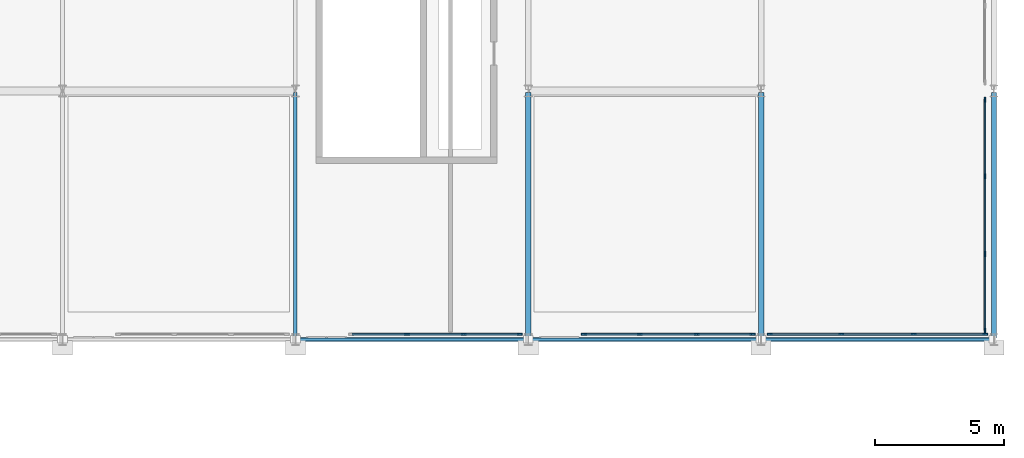
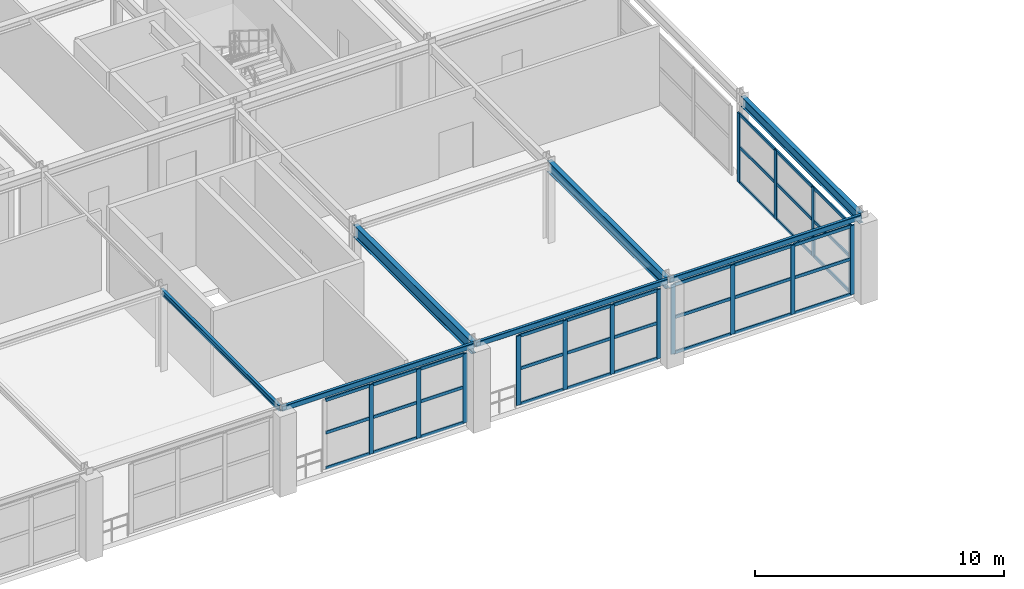
# One storey, part 31 of 81: 51 members, 7 beams, 4 elements without a shape of their own.
"""IFC4 building model written with IfcOpenShell, lengths in metres."""

from ifc_helpers import new_model, si_unit, direction, frame, origin, origin_2d, place, context, subcontext, project, spatial, rectangle, hollow_rectangle, i_section, extrude, material, layer, layer_set, material_profile, profile_set, type_object, element, aggregate, save


model = new_model("IFC4")

# Units and contexts
model_context = context("Model", 3, precision=1e-05, world=origin(), true_north=direction((0.0, 1.0)))
body_context = subcontext(model_context, "Body", "Model", "MODEL_VIEW")
ifc_project = project(units=[si_unit("LENGTHUNIT", "METRE"), si_unit("AREAUNIT", "SQUARE_METRE"), si_unit("VOLUMEUNIT", "CUBIC_METRE"), si_unit("PLANEANGLEUNIT", "RADIAN"), si_unit("MASSUNIT", "GRAM", prefix="KILO")], contexts=[model_context])

# Site, building, storey
site_placement = place(None, origin())
site = spatial("IfcSite", under=ifc_project, at=site_placement, CompositionType="ELEMENT")
building_placement = place(site_placement, origin())
building = spatial("IfcBuilding", under=site, at=building_placement, Name="Myrtia Square Station", CompositionType="ELEMENT")
storey_placement = place(building_placement, frame((0.0, 0.0, 10.800048828125)))
storey = spatial("IfcBuildingStorey", under=building, at=storey_placement, Name="L02", CompositionType="ELEMENT", Elevation=10.800048828125)

# Beams
ifc_material_1 = material(Name="Steel S355", Category="steel")
ifc_material_profile_1 = material_profile(ifc_material_1, i_section(OverallWidth=0.135009765625, OverallDepth=0.27001953125, WebThickness=0.006591796875, FlangeThickness=0.01025390625, FilletRadius=0.014892578125, at=origin_2d()), Name="IPE 270")
ifc_profile_set_1 = profile_set([ifc_material_profile_1], Name="Steel S355")
beam_type_1 = type_object("IfcBeamType", Name="BM-IPE270", PredefinedType="BEAM", material=ifc_profile_set_1)
beam_1_placement = place(storey_placement, frame((162.0, 86.449951171875, 3.824951171875), z_axis=(0.0, 1.0, 0.0), x_axis=(-1.0, 0.0, 0.0)))
element("IfcBeam", 1, at=beam_1_placement, inside=storey, type_object=beam_type_1, Name="Structural girder BMY-L02-0791", PredefinedType="BEAM", context=body_context, shape_type="SweptSolid", body=[
    extrude(i_section(OverallWidth=0.135009765625, OverallDepth=0.27001953125, WebThickness=0.006591796875, FlangeThickness=0.01025390625, FilletRadius=0.014892578125, at=origin_2d()), origin(), (0.0, 0.0, 1.0), 9.5),
])
ifc_material_profile_2 = material_profile(ifc_material_1, i_section(OverallWidth=0.199951171875, OverallDepth=0.5, WebThickness=0.01025390625, FlangeThickness=0.01611328125, FilletRadius=0.02099609375, at=origin_2d()), Name="IPE 500")
ifc_profile_set_2 = profile_set([ifc_material_profile_2], Name="Steel S355")
beam_type_2 = type_object("IfcBeamType", Name="BM-IPE500", PredefinedType="BEAM", material=ifc_profile_set_2)
beam_2_placement = place(storey_placement, frame((189.0, 86.449951171875, 3.7099609375), z_axis=(0.0, 1.0, 0.0), x_axis=(-1.0, 0.0, 0.0)))
element("IfcBeam", 2, at=beam_2_placement, inside=storey, type_object=beam_type_2, Name="Structural girder BMY-L02-0803", PredefinedType="BEAM", context=body_context, shape_type="SweptSolid", body=[
    extrude(i_section(OverallWidth=0.199951171875, OverallDepth=0.5, WebThickness=0.01025390625, FlangeThickness=0.01611328125, FilletRadius=0.02099609375, at=origin_2d()), origin(), (0.0, 0.0, 1.0), 9.5),
])
ifc_material_profile_3 = material_profile(ifc_material_1, i_section(OverallWidth=0.2099609375, OverallDepth=0.550048828125, WebThickness=0.010986328125, FlangeThickness=0.01708984375, FilletRadius=0.02392578125, at=origin_2d()), Name="IPE 550")
ifc_profile_set_3 = profile_set([ifc_material_profile_3], Name="Steel S355")
beam_type_3 = type_object("IfcBeamType", Name="BM-IPE550", PredefinedType="BEAM", material=ifc_profile_set_3)
beam_3_placement = place(storey_placement, frame((180.0, 86.449951171875, 3.68505859375), z_axis=(0.0, 1.0, 0.0), x_axis=(-1.0, 0.0, 0.0)))
element("IfcBeam", 3, at=beam_3_placement, inside=storey, type_object=beam_type_3, Name="Structural girder BMY-L02-0799", PredefinedType="BEAM", context=body_context, shape_type="SweptSolid", body=[
    extrude(i_section(OverallWidth=0.2099609375, OverallDepth=0.550048828125, WebThickness=0.010986328125, FlangeThickness=0.01708984375, FilletRadius=0.02392578125, at=origin_2d()), origin(), (0.0, 0.0, 1.0), 9.5),
])
ifc_material_profile_4 = material_profile(ifc_material_1, i_section(OverallWidth=0.219970703125, OverallDepth=0.60009765625, WebThickness=0.011962890625, FlangeThickness=0.01904296875, FilletRadius=0.02392578125, at=origin_2d()), Name="IPE 600")
ifc_profile_set_4 = profile_set([ifc_material_profile_4], Name="Steel S355")
beam_type_4 = type_object("IfcBeamType", Name="BM-IPE600", PredefinedType="BEAM", material=ifc_profile_set_4)
beam_4_placement = place(storey_placement, frame((171.0, 86.449951171875, 3.659912109375), z_axis=(0.0, 1.0, 0.0), x_axis=(-1.0, 0.0, 0.0)))
element("IfcBeam", 4, at=beam_4_placement, inside=storey, type_object=beam_type_4, Name="Structural girder BMY-L02-0795", PredefinedType="BEAM", context=body_context, shape_type="SweptSolid", body=[
    extrude(i_section(OverallWidth=0.219970703125, OverallDepth=0.60009765625, WebThickness=0.011962890625, FlangeThickness=0.01904296875, FilletRadius=0.02392578125, at=origin_2d()), origin(), (0.0, 0.0, 1.0), 9.5),
])

# Curtain wall, members
ifc_material_2 = material(Name="Dark bronze anodised aluminium", Category="aluminium")
ifc_layer_1 = layer(ifc_material_2, 0.159912109375, Name="Dark bronze anodised aluminium")
ifc_layer_set_1 = layer_set([ifc_layer_1], Name="Dark bronze anodised aluminium")
curtain_wall_type_1 = type_object("IfcCurtainWallType", Name="CW-TYPE-40-658x340", PredefinedType="USERDEFINED", material=ifc_layer_set_1)
curtain_wall_1_placement = place(storey_placement, origin())
curtain_wall_1 = element("IfcCurtainWall", 5, at=curtain_wall_1_placement, inside=storey, type_object=curtain_wall_type_1, Name="Concourse curtain wall CW-L02-137", ObjectType="CONCOURSE CURTAIN WALL", PredefinedType="USERDEFINED")
ifc_material_profile_5 = material_profile(ifc_material_2, rectangle(XDim=0.06494140625, YDim=0.199951171875, at=origin_2d()), Name="ALU-M 65x200")
ifc_profile_set_5 = profile_set([ifc_material_profile_5], Name="Dark bronze anodised aluminium")
member_type_1 = type_object("IfcMemberType", Name="CWM-65x200", PredefinedType="MULLION", material=ifc_profile_set_5)
member_1_placement = place(storey_placement, frame((166.316650390625, 86.60009765625, 0.0), z_axis=(0.0, 0.0, 1.0), x_axis=(0.0, 1.0, 0.0)))
member_1 = element("IfcMember", 6, at=member_1_placement, type_object=member_type_1, Name="CW-137 mullion 2", PredefinedType="MULLION", context=body_context, shape_type="SweptSolid", body=[
    extrude(rectangle(XDim=0.06494140625, YDim=0.199951171875, at=origin_2d()), origin(), (0.0, 0.0, 1.0), 3.39990234375),
])
member_2_placement = place(storey_placement, frame((168.50830078125, 86.60009765625, 0.0), z_axis=(0.0, 0.0, 1.0), x_axis=(0.0, 1.0, 0.0)))
member_2 = element("IfcMember", 7, at=member_2_placement, type_object=member_type_1, Name="CW-137 mullion 3", PredefinedType="MULLION", context=body_context, shape_type="SweptSolid", body=[
    extrude(rectangle(XDim=0.06494140625, YDim=0.199951171875, at=origin_2d()), origin(), (0.0, 0.0, 1.0), 3.39990234375),
])
member_3_placement = place(storey_placement, frame((170.66748046875, 86.60009765625, 0.0), z_axis=(0.0, 0.0, 1.0), x_axis=(0.0, 1.0, 0.0)))
member_3 = element("IfcMember", 8, at=member_3_placement, type_object=member_type_1, Name="CW-137 mullion 4", PredefinedType="MULLION", context=body_context, shape_type="SweptSolid", body=[
    extrude(rectangle(XDim=0.06494140625, YDim=0.199951171875, at=origin_2d()), origin(), (0.0, 0.0, 1.0), 3.39990234375),
])

curtain_wall_2_placement = place(storey_placement, origin())
curtain_wall_2 = element("IfcCurtainWall", 9, at=curtain_wall_2_placement, inside=storey, type_object=curtain_wall_type_1, Name="Concourse curtain wall CW-L02-142", ObjectType="CONCOURSE CURTAIN WALL", PredefinedType="USERDEFINED")
member_4_placement = place(storey_placement, frame((173.157470703125, 86.60009765625, 0.0), z_axis=(0.0, 0.0, 1.0), x_axis=(0.0, 1.0, 0.0)))
member_4 = element("IfcMember", 10, at=member_4_placement, type_object=member_type_1, Name="CW-142 mullion 1", PredefinedType="MULLION", context=body_context, shape_type="SweptSolid", body=[
    extrude(rectangle(XDim=0.06494140625, YDim=0.199951171875, at=origin_2d()), origin(), (0.0, 0.0, 1.0), 3.39990234375),
])
member_5_placement = place(storey_placement, frame((175.316650390625, 86.60009765625, 0.0), z_axis=(0.0, 0.0, 1.0), x_axis=(0.0, 1.0, 0.0)))
member_5 = element("IfcMember", 11, at=member_5_placement, type_object=member_type_1, Name="CW-142 mullion 2", PredefinedType="MULLION", context=body_context, shape_type="SweptSolid", body=[
    extrude(rectangle(XDim=0.06494140625, YDim=0.199951171875, at=origin_2d()), origin(), (0.0, 0.0, 1.0), 3.39990234375),
])
member_6_placement = place(storey_placement, frame((177.50830078125, 86.60009765625, 0.0), z_axis=(0.0, 0.0, 1.0), x_axis=(0.0, 1.0, 0.0)))
member_6 = element("IfcMember", 12, at=member_6_placement, type_object=member_type_1, Name="CW-142 mullion 3", PredefinedType="MULLION", context=body_context, shape_type="SweptSolid", body=[
    extrude(rectangle(XDim=0.06494140625, YDim=0.199951171875, at=origin_2d()), origin(), (0.0, 0.0, 1.0), 3.39990234375),
])
member_7_placement = place(storey_placement, frame((179.66748046875, 86.60009765625, 0.0), z_axis=(0.0, 0.0, 1.0), x_axis=(0.0, 1.0, 0.0)))
member_7 = element("IfcMember", 13, at=member_7_placement, type_object=member_type_1, Name="CW-142 mullion 4", PredefinedType="MULLION", context=body_context, shape_type="SweptSolid", body=[
    extrude(rectangle(XDim=0.06494140625, YDim=0.199951171875, at=origin_2d()), origin(), (0.0, 0.0, 1.0), 3.39990234375),
])

ifc_layer_2 = layer(ifc_material_2, 0.159912109375, Name="Dark bronze anodised aluminium")
ifc_layer_set_2 = layer_set([ifc_layer_2], Name="Dark bronze anodised aluminium")
curtain_wall_type_2 = type_object("IfcCurtainWallType", Name="CW-TYPE-45-840x340", PredefinedType="USERDEFINED", material=ifc_layer_set_2)
curtain_wall_3_placement = place(storey_placement, origin())
curtain_wall_3 = element("IfcCurtainWall", 14, at=curtain_wall_3_placement, inside=storey, type_object=curtain_wall_type_2, Name="Concourse curtain wall CW-L02-147", ObjectType="CONCOURSE CURTAIN WALL", PredefinedType="USERDEFINED")
member_8_placement = place(storey_placement, frame((180.33251953125, 86.60009765625, 0.0), z_axis=(0.0, 0.0, 1.0), x_axis=(0.0, 1.0, 0.0)))
member_8 = element("IfcMember", 15, at=member_8_placement, type_object=member_type_1, Name="CW-147 mullion 1", PredefinedType="MULLION", context=body_context, shape_type="SweptSolid", body=[
    extrude(rectangle(XDim=0.06494140625, YDim=0.199951171875, at=origin_2d()), origin(), (0.0, 0.0, 1.0), 3.39990234375),
])
member_9_placement = place(storey_placement, frame((183.10009765625, 86.60009765625, 0.0), z_axis=(0.0, 0.0, 1.0), x_axis=(0.0, 1.0, 0.0)))
member_9 = element("IfcMember", 16, at=member_9_placement, type_object=member_type_1, Name="CW-147 mullion 2", PredefinedType="MULLION", context=body_context, shape_type="SweptSolid", body=[
    extrude(rectangle(XDim=0.06494140625, YDim=0.199951171875, at=origin_2d()), origin(), (0.0, 0.0, 1.0), 3.39990234375),
])
member_10_placement = place(storey_placement, frame((185.89990234375, 86.60009765625, 0.0), z_axis=(0.0, 0.0, 1.0), x_axis=(0.0, 1.0, 0.0)))
member_10 = element("IfcMember", 17, at=member_10_placement, type_object=member_type_1, Name="CW-147 mullion 3", PredefinedType="MULLION", context=body_context, shape_type="SweptSolid", body=[
    extrude(rectangle(XDim=0.06494140625, YDim=0.199951171875, at=origin_2d()), origin(), (0.0, 0.0, 1.0), 3.39990234375),
])
member_11_placement = place(storey_placement, frame((188.66748046875, 86.60009765625, 0.0), z_axis=(0.0, 0.0, 1.0), x_axis=(0.0, 1.0, 0.0)))
member_11 = element("IfcMember", 18, at=member_11_placement, type_object=member_type_1, Name="CW-147 mullion 4", PredefinedType="MULLION", context=body_context, shape_type="SweptSolid", body=[
    extrude(rectangle(XDim=0.06494140625, YDim=0.199951171875, at=origin_2d()), origin(), (0.0, 0.0, 1.0), 3.39990234375),
])

ifc_layer_3 = layer(ifc_material_2, 0.159912109375, Name="Dark bronze anodised aluminium")
ifc_layer_set_3 = layer_set([ifc_layer_3], Name="Dark bronze anodised aluminium")
curtain_wall_type_3 = type_object("IfcCurtainWallType", Name="CW-TYPE-49-900x340", PredefinedType="USERDEFINED", material=ifc_layer_set_3)
curtain_wall_4_placement = place(storey_placement, origin())
curtain_wall_4 = element("IfcCurtainWall", 19, at=curtain_wall_4_placement, inside=storey, type_object=curtain_wall_type_3, Name="Concourse curtain wall CW-L02-158", ObjectType="CONCOURSE CURTAIN WALL", PredefinedType="USERDEFINED")
member_12_placement = place(storey_placement, frame((188.64990234375, 86.732421875, 0.0), z_axis=(0.0, 0.0, 1.0), x_axis=(-1.0, 0.0, 0.0)))
member_12 = element("IfcMember", 20, at=member_12_placement, type_object=member_type_1, Name="CW-158 mullion 1", PredefinedType="MULLION", context=body_context, shape_type="SweptSolid", body=[
    extrude(rectangle(XDim=0.06494140625, YDim=0.199951171875, at=origin_2d()), origin(), (0.0, 0.0, 1.0), 3.39990234375),
])
member_13_placement = place(storey_placement, frame((188.64990234375, 89.699951171875, 0.0), z_axis=(0.0, 0.0, 1.0), x_axis=(-1.0, 0.0, 0.0)))
member_13 = element("IfcMember", 21, at=member_13_placement, type_object=member_type_1, Name="CW-158 mullion 2", PredefinedType="MULLION", context=body_context, shape_type="SweptSolid", body=[
    extrude(rectangle(XDim=0.06494140625, YDim=0.199951171875, at=origin_2d()), origin(), (0.0, 0.0, 1.0), 3.39990234375),
])
member_14_placement = place(storey_placement, frame((188.64990234375, 92.699951171875, 0.0), z_axis=(0.0, 0.0, 1.0), x_axis=(-1.0, 0.0, 0.0)))
member_14 = element("IfcMember", 22, at=member_14_placement, type_object=member_type_1, Name="CW-158 mullion 3", PredefinedType="MULLION", context=body_context, shape_type="SweptSolid", body=[
    extrude(rectangle(XDim=0.06494140625, YDim=0.199951171875, at=origin_2d()), origin(), (0.0, 0.0, 1.0), 3.39990234375),
])
member_15_placement = place(storey_placement, frame((188.64990234375, 95.66748046875, 0.0), z_axis=(0.0, 0.0, 1.0), x_axis=(-1.0, 0.0, 0.0)))
member_15 = element("IfcMember", 23, at=member_15_placement, type_object=member_type_1, Name="CW-158 mullion 4", PredefinedType="MULLION", context=body_context, shape_type="SweptSolid", body=[
    extrude(rectangle(XDim=0.06494140625, YDim=0.199951171875, at=origin_2d()), origin(), (0.0, 0.0, 1.0), 3.39990234375),
])

# Member
ifc_material_profile_6 = material_profile(ifc_material_2, rectangle(XDim=0.06494140625, YDim=0.14990234375, at=origin_2d()), Name="ALU-T 65x150")
ifc_profile_set_6 = profile_set([ifc_material_profile_6], Name="Dark bronze anodised aluminium")
member_type_2 = type_object("IfcMemberType", Name="CWT-65x150", PredefinedType="USERDEFINED", material=ifc_profile_set_6)
member_16_placement = place(storey_placement, frame((164.18994140625, 86.60009765625, 0.032470703125), z_axis=(1.0, 0.0, 0.0), x_axis=(0.0, 1.0, 0.0)))
member_16 = element("IfcMember", 24, at=member_16_placement, type_object=member_type_2, Name="CW-137 transom 1.1", ObjectType="TRANSOM", PredefinedType="USERDEFINED", context=body_context, shape_type="SweptSolid", body=[
    extrude(rectangle(XDim=0.06494140625, YDim=0.14990234375, at=origin_2d()), origin(), (0.0, 0.0, 1.0), 2.09423828125),
])

member_17_placement = place(storey_placement, frame((164.18994140625, 86.60009765625, 1.76806640625), z_axis=(1.0, 0.0, 0.0), x_axis=(0.0, 1.0, 0.0)))
member_17 = element("IfcMember", 25, at=member_17_placement, type_object=member_type_2, Name="CW-137 transom 1.2", ObjectType="TRANSOM", PredefinedType="USERDEFINED", context=body_context, shape_type="SweptSolid", body=[
    extrude(rectangle(XDim=0.06494140625, YDim=0.14990234375, at=origin_2d()), origin(), (0.0, 0.0, 1.0), 2.09423828125),
])

member_18_placement = place(storey_placement, frame((164.18994140625, 86.60009765625, 3.367431640625), z_axis=(1.0, 0.0, 0.0), x_axis=(0.0, 1.0, 0.0)))
member_18 = element("IfcMember", 26, at=member_18_placement, type_object=member_type_2, Name="CW-137 transom 1.3", ObjectType="TRANSOM", PredefinedType="USERDEFINED", context=body_context, shape_type="SweptSolid", body=[
    extrude(rectangle(XDim=0.06494140625, YDim=0.14990234375, at=origin_2d()), origin(), (0.0, 0.0, 1.0), 2.09423828125),
])

member_19_placement = place(storey_placement, frame((166.34912109375, 86.60009765625, 0.032470703125), z_axis=(1.0, 0.0, 0.0), x_axis=(0.0, 1.0, 0.0)))
member_19 = element("IfcMember", 27, at=member_19_placement, type_object=member_type_2, Name="CW-137 transom 2.1", ObjectType="TRANSOM", PredefinedType="USERDEFINED", context=body_context, shape_type="SweptSolid", body=[
    extrude(rectangle(XDim=0.06494140625, YDim=0.14990234375, at=origin_2d()), origin(), (0.0, 0.0, 1.0), 2.126708984375),
])

member_20_placement = place(storey_placement, frame((166.34912109375, 86.60009765625, 1.76806640625), z_axis=(1.0, 0.0, 0.0), x_axis=(0.0, 1.0, 0.0)))
member_20 = element("IfcMember", 28, at=member_20_placement, type_object=member_type_2, Name="CW-137 transom 2.2", ObjectType="TRANSOM", PredefinedType="USERDEFINED", context=body_context, shape_type="SweptSolid", body=[
    extrude(rectangle(XDim=0.06494140625, YDim=0.14990234375, at=origin_2d()), origin(), (0.0, 0.0, 1.0), 2.126708984375),
])

member_21_placement = place(storey_placement, frame((166.34912109375, 86.60009765625, 3.367431640625), z_axis=(1.0, 0.0, 0.0), x_axis=(0.0, 1.0, 0.0)))
member_21 = element("IfcMember", 29, at=member_21_placement, type_object=member_type_2, Name="CW-137 transom 2.3", ObjectType="TRANSOM", PredefinedType="USERDEFINED", context=body_context, shape_type="SweptSolid", body=[
    extrude(rectangle(XDim=0.06494140625, YDim=0.14990234375, at=origin_2d()), origin(), (0.0, 0.0, 1.0), 2.126708984375),
])

member_22_placement = place(storey_placement, frame((168.540771484375, 86.60009765625, 0.032470703125), z_axis=(1.0, 0.0, 0.0), x_axis=(0.0, 1.0, 0.0)))
member_22 = element("IfcMember", 30, at=member_22_placement, type_object=member_type_2, Name="CW-137 transom 3.1", ObjectType="TRANSOM", PredefinedType="USERDEFINED", context=body_context, shape_type="SweptSolid", body=[
    extrude(rectangle(XDim=0.06494140625, YDim=0.14990234375, at=origin_2d()), origin(), (0.0, 0.0, 1.0), 2.09423828125),
])

member_23_placement = place(storey_placement, frame((168.540771484375, 86.60009765625, 1.76806640625), z_axis=(1.0, 0.0, 0.0), x_axis=(0.0, 1.0, 0.0)))
member_23 = element("IfcMember", 31, at=member_23_placement, type_object=member_type_2, Name="CW-137 transom 3.2", ObjectType="TRANSOM", PredefinedType="USERDEFINED", context=body_context, shape_type="SweptSolid", body=[
    extrude(rectangle(XDim=0.06494140625, YDim=0.14990234375, at=origin_2d()), origin(), (0.0, 0.0, 1.0), 2.09423828125),
])

member_24_placement = place(storey_placement, frame((168.540771484375, 86.60009765625, 3.367431640625), z_axis=(1.0, 0.0, 0.0), x_axis=(0.0, 1.0, 0.0)))
member_24 = element("IfcMember", 32, at=member_24_placement, type_object=member_type_2, Name="CW-137 transom 3.3", ObjectType="TRANSOM", PredefinedType="USERDEFINED", context=body_context, shape_type="SweptSolid", body=[
    extrude(rectangle(XDim=0.06494140625, YDim=0.14990234375, at=origin_2d()), origin(), (0.0, 0.0, 1.0), 2.09423828125),
])

aggregate(curtain_wall_1, [member_1, member_2, member_3, member_16, member_17, member_18, member_19, member_20, member_21, member_22, member_23, member_24])

member_25_placement = place(storey_placement, frame((173.18994140625, 86.60009765625, 0.032470703125), z_axis=(1.0, 0.0, 0.0), x_axis=(0.0, 1.0, 0.0)))
member_25 = element("IfcMember", 33, at=member_25_placement, type_object=member_type_2, Name="CW-142 transom 1.1", ObjectType="TRANSOM", PredefinedType="USERDEFINED", context=body_context, shape_type="SweptSolid", body=[
    extrude(rectangle(XDim=0.06494140625, YDim=0.14990234375, at=origin_2d()), origin(), (0.0, 0.0, 1.0), 2.09423828125),
])

member_26_placement = place(storey_placement, frame((173.18994140625, 86.60009765625, 1.76806640625), z_axis=(1.0, 0.0, 0.0), x_axis=(0.0, 1.0, 0.0)))
member_26 = element("IfcMember", 34, at=member_26_placement, type_object=member_type_2, Name="CW-142 transom 1.2", ObjectType="TRANSOM", PredefinedType="USERDEFINED", context=body_context, shape_type="SweptSolid", body=[
    extrude(rectangle(XDim=0.06494140625, YDim=0.14990234375, at=origin_2d()), origin(), (0.0, 0.0, 1.0), 2.09423828125),
])

member_27_placement = place(storey_placement, frame((173.18994140625, 86.60009765625, 3.367431640625), z_axis=(1.0, 0.0, 0.0), x_axis=(0.0, 1.0, 0.0)))
member_27 = element("IfcMember", 35, at=member_27_placement, type_object=member_type_2, Name="CW-142 transom 1.3", ObjectType="TRANSOM", PredefinedType="USERDEFINED", context=body_context, shape_type="SweptSolid", body=[
    extrude(rectangle(XDim=0.06494140625, YDim=0.14990234375, at=origin_2d()), origin(), (0.0, 0.0, 1.0), 2.09423828125),
])

member_28_placement = place(storey_placement, frame((175.34912109375, 86.60009765625, 0.032470703125), z_axis=(1.0, 0.0, 0.0), x_axis=(0.0, 1.0, 0.0)))
member_28 = element("IfcMember", 36, at=member_28_placement, type_object=member_type_2, Name="CW-142 transom 2.1", ObjectType="TRANSOM", PredefinedType="USERDEFINED", context=body_context, shape_type="SweptSolid", body=[
    extrude(rectangle(XDim=0.06494140625, YDim=0.14990234375, at=origin_2d()), origin(), (0.0, 0.0, 1.0), 2.126708984375),
])

member_29_placement = place(storey_placement, frame((175.34912109375, 86.60009765625, 1.76806640625), z_axis=(1.0, 0.0, 0.0), x_axis=(0.0, 1.0, 0.0)))
member_29 = element("IfcMember", 37, at=member_29_placement, type_object=member_type_2, Name="CW-142 transom 2.2", ObjectType="TRANSOM", PredefinedType="USERDEFINED", context=body_context, shape_type="SweptSolid", body=[
    extrude(rectangle(XDim=0.06494140625, YDim=0.14990234375, at=origin_2d()), origin(), (0.0, 0.0, 1.0), 2.126708984375),
])

member_30_placement = place(storey_placement, frame((175.34912109375, 86.60009765625, 3.367431640625), z_axis=(1.0, 0.0, 0.0), x_axis=(0.0, 1.0, 0.0)))
member_30 = element("IfcMember", 38, at=member_30_placement, type_object=member_type_2, Name="CW-142 transom 2.3", ObjectType="TRANSOM", PredefinedType="USERDEFINED", context=body_context, shape_type="SweptSolid", body=[
    extrude(rectangle(XDim=0.06494140625, YDim=0.14990234375, at=origin_2d()), origin(), (0.0, 0.0, 1.0), 2.126708984375),
])

member_31_placement = place(storey_placement, frame((177.540771484375, 86.60009765625, 0.032470703125), z_axis=(1.0, 0.0, 0.0), x_axis=(0.0, 1.0, 0.0)))
member_31 = element("IfcMember", 39, at=member_31_placement, type_object=member_type_2, Name="CW-142 transom 3.1", ObjectType="TRANSOM", PredefinedType="USERDEFINED", context=body_context, shape_type="SweptSolid", body=[
    extrude(rectangle(XDim=0.06494140625, YDim=0.14990234375, at=origin_2d()), origin(), (0.0, 0.0, 1.0), 2.09423828125),
])

member_32_placement = place(storey_placement, frame((177.540771484375, 86.60009765625, 1.76806640625), z_axis=(1.0, 0.0, 0.0), x_axis=(0.0, 1.0, 0.0)))
member_32 = element("IfcMember", 40, at=member_32_placement, type_object=member_type_2, Name="CW-142 transom 3.2", ObjectType="TRANSOM", PredefinedType="USERDEFINED", context=body_context, shape_type="SweptSolid", body=[
    extrude(rectangle(XDim=0.06494140625, YDim=0.14990234375, at=origin_2d()), origin(), (0.0, 0.0, 1.0), 2.09423828125),
])

member_33_placement = place(storey_placement, frame((177.540771484375, 86.60009765625, 3.367431640625), z_axis=(1.0, 0.0, 0.0), x_axis=(0.0, 1.0, 0.0)))
member_33 = element("IfcMember", 41, at=member_33_placement, type_object=member_type_2, Name="CW-142 transom 3.3", ObjectType="TRANSOM", PredefinedType="USERDEFINED", context=body_context, shape_type="SweptSolid", body=[
    extrude(rectangle(XDim=0.06494140625, YDim=0.14990234375, at=origin_2d()), origin(), (0.0, 0.0, 1.0), 2.09423828125),
])

aggregate(curtain_wall_2, [member_4, member_5, member_6, member_7, member_25, member_26, member_27, member_28, member_29, member_30, member_31, member_32, member_33])

member_34_placement = place(storey_placement, frame((180.364990234375, 86.60009765625, 0.032470703125), z_axis=(1.0, 0.0, 0.0), x_axis=(0.0, 1.0, 0.0)))
member_34 = element("IfcMember", 42, at=member_34_placement, type_object=member_type_2, Name="CW-147 transom 1.1", ObjectType="TRANSOM", PredefinedType="USERDEFINED", context=body_context, shape_type="SweptSolid", body=[
    extrude(rectangle(XDim=0.06494140625, YDim=0.14990234375, at=origin_2d()), origin(), (0.0, 0.0, 1.0), 2.702392578125),
])

member_35_placement = place(storey_placement, frame((180.364990234375, 86.60009765625, 1.76806640625), z_axis=(1.0, 0.0, 0.0), x_axis=(0.0, 1.0, 0.0)))
member_35 = element("IfcMember", 43, at=member_35_placement, type_object=member_type_2, Name="CW-147 transom 1.2", ObjectType="TRANSOM", PredefinedType="USERDEFINED", context=body_context, shape_type="SweptSolid", body=[
    extrude(rectangle(XDim=0.06494140625, YDim=0.14990234375, at=origin_2d()), origin(), (0.0, 0.0, 1.0), 2.702392578125),
])

member_36_placement = place(storey_placement, frame((180.364990234375, 86.60009765625, 3.367431640625), z_axis=(1.0, 0.0, 0.0), x_axis=(0.0, 1.0, 0.0)))
member_36 = element("IfcMember", 44, at=member_36_placement, type_object=member_type_2, Name="CW-147 transom 1.3", ObjectType="TRANSOM", PredefinedType="USERDEFINED", context=body_context, shape_type="SweptSolid", body=[
    extrude(rectangle(XDim=0.06494140625, YDim=0.14990234375, at=origin_2d()), origin(), (0.0, 0.0, 1.0), 2.702392578125),
])

member_37_placement = place(storey_placement, frame((183.132568359375, 86.60009765625, 0.032470703125), z_axis=(1.0, 0.0, 0.0), x_axis=(0.0, 1.0, 0.0)))
member_37 = element("IfcMember", 45, at=member_37_placement, type_object=member_type_2, Name="CW-147 transom 2.1", ObjectType="TRANSOM", PredefinedType="USERDEFINED", context=body_context, shape_type="SweptSolid", body=[
    extrude(rectangle(XDim=0.06494140625, YDim=0.14990234375, at=origin_2d()), origin(), (0.0, 0.0, 1.0), 2.73486328125),
])

member_38_placement = place(storey_placement, frame((183.132568359375, 86.60009765625, 1.76806640625), z_axis=(1.0, 0.0, 0.0), x_axis=(0.0, 1.0, 0.0)))
member_38 = element("IfcMember", 46, at=member_38_placement, type_object=member_type_2, Name="CW-147 transom 2.2", ObjectType="TRANSOM", PredefinedType="USERDEFINED", context=body_context, shape_type="SweptSolid", body=[
    extrude(rectangle(XDim=0.06494140625, YDim=0.14990234375, at=origin_2d()), origin(), (0.0, 0.0, 1.0), 2.73486328125),
])

member_39_placement = place(storey_placement, frame((183.132568359375, 86.60009765625, 3.367431640625), z_axis=(1.0, 0.0, 0.0), x_axis=(0.0, 1.0, 0.0)))
member_39 = element("IfcMember", 47, at=member_39_placement, type_object=member_type_2, Name="CW-147 transom 2.3", ObjectType="TRANSOM", PredefinedType="USERDEFINED", context=body_context, shape_type="SweptSolid", body=[
    extrude(rectangle(XDim=0.06494140625, YDim=0.14990234375, at=origin_2d()), origin(), (0.0, 0.0, 1.0), 2.73486328125),
])

member_40_placement = place(storey_placement, frame((185.9326171875, 86.60009765625, 0.032470703125), z_axis=(1.0, 0.0, 0.0), x_axis=(0.0, 1.0, 0.0)))
member_40 = element("IfcMember", 48, at=member_40_placement, type_object=member_type_2, Name="CW-147 transom 3.1", ObjectType="TRANSOM", PredefinedType="USERDEFINED", context=body_context, shape_type="SweptSolid", body=[
    extrude(rectangle(XDim=0.06494140625, YDim=0.14990234375, at=origin_2d()), origin(), (0.0, 0.0, 1.0), 2.702392578125),
])

member_41_placement = place(storey_placement, frame((185.9326171875, 86.60009765625, 1.76806640625), z_axis=(1.0, 0.0, 0.0), x_axis=(0.0, 1.0, 0.0)))
member_41 = element("IfcMember", 49, at=member_41_placement, type_object=member_type_2, Name="CW-147 transom 3.2", ObjectType="TRANSOM", PredefinedType="USERDEFINED", context=body_context, shape_type="SweptSolid", body=[
    extrude(rectangle(XDim=0.06494140625, YDim=0.14990234375, at=origin_2d()), origin(), (0.0, 0.0, 1.0), 2.702392578125),
])

member_42_placement = place(storey_placement, frame((185.9326171875, 86.60009765625, 3.367431640625), z_axis=(1.0, 0.0, 0.0), x_axis=(0.0, 1.0, 0.0)))
member_42 = element("IfcMember", 50, at=member_42_placement, type_object=member_type_2, Name="CW-147 transom 3.3", ObjectType="TRANSOM", PredefinedType="USERDEFINED", context=body_context, shape_type="SweptSolid", body=[
    extrude(rectangle(XDim=0.06494140625, YDim=0.14990234375, at=origin_2d()), origin(), (0.0, 0.0, 1.0), 2.702392578125),
])

aggregate(curtain_wall_3, [member_8, member_9, member_10, member_11, member_34, member_35, member_36, member_37, member_38, member_39, member_40, member_41, member_42])

member_43_placement = place(storey_placement, frame((188.64990234375, 86.764892578125, 0.032470703125), z_axis=(0.0, 1.0, 0.0), x_axis=(-1.0, 0.0, 0.0)))
member_43 = element("IfcMember", 51, at=member_43_placement, type_object=member_type_2, Name="CW-158 transom 1.1", ObjectType="TRANSOM", PredefinedType="USERDEFINED", context=body_context, shape_type="SweptSolid", body=[
    extrude(rectangle(XDim=0.06494140625, YDim=0.14990234375, at=origin_2d()), origin(), (0.0, 0.0, 1.0), 2.902587890625),
])

member_44_placement = place(storey_placement, frame((188.64990234375, 86.764892578125, 1.76806640625), z_axis=(0.0, 1.0, 0.0), x_axis=(-1.0, 0.0, 0.0)))
member_44 = element("IfcMember", 52, at=member_44_placement, type_object=member_type_2, Name="CW-158 transom 1.2", ObjectType="TRANSOM", PredefinedType="USERDEFINED", context=body_context, shape_type="SweptSolid", body=[
    extrude(rectangle(XDim=0.06494140625, YDim=0.14990234375, at=origin_2d()), origin(), (0.0, 0.0, 1.0), 2.902587890625),
])

member_45_placement = place(storey_placement, frame((188.64990234375, 86.764892578125, 3.367431640625), z_axis=(0.0, 1.0, 0.0), x_axis=(-1.0, 0.0, 0.0)))
member_45 = element("IfcMember", 53, at=member_45_placement, type_object=member_type_2, Name="CW-158 transom 1.3", ObjectType="TRANSOM", PredefinedType="USERDEFINED", context=body_context, shape_type="SweptSolid", body=[
    extrude(rectangle(XDim=0.06494140625, YDim=0.14990234375, at=origin_2d()), origin(), (0.0, 0.0, 1.0), 2.902587890625),
])

member_46_placement = place(storey_placement, frame((188.64990234375, 89.732421875, 0.032470703125), z_axis=(0.0, 1.0, 0.0), x_axis=(-1.0, 0.0, 0.0)))
member_46 = element("IfcMember", 54, at=member_46_placement, type_object=member_type_2, Name="CW-158 transom 2.1", ObjectType="TRANSOM", PredefinedType="USERDEFINED", context=body_context, shape_type="SweptSolid", body=[
    extrude(rectangle(XDim=0.06494140625, YDim=0.14990234375, at=origin_2d()), origin(), (0.0, 0.0, 1.0), 2.93505859375),
])

member_47_placement = place(storey_placement, frame((188.64990234375, 89.732421875, 1.76806640625), z_axis=(0.0, 1.0, 0.0), x_axis=(-1.0, 0.0, 0.0)))
member_47 = element("IfcMember", 55, at=member_47_placement, type_object=member_type_2, Name="CW-158 transom 2.2", ObjectType="TRANSOM", PredefinedType="USERDEFINED", context=body_context, shape_type="SweptSolid", body=[
    extrude(rectangle(XDim=0.06494140625, YDim=0.14990234375, at=origin_2d()), origin(), (0.0, 0.0, 1.0), 2.93505859375),
])

member_48_placement = place(storey_placement, frame((188.64990234375, 89.732421875, 3.367431640625), z_axis=(0.0, 1.0, 0.0), x_axis=(-1.0, 0.0, 0.0)))
member_48 = element("IfcMember", 56, at=member_48_placement, type_object=member_type_2, Name="CW-158 transom 2.3", ObjectType="TRANSOM", PredefinedType="USERDEFINED", context=body_context, shape_type="SweptSolid", body=[
    extrude(rectangle(XDim=0.06494140625, YDim=0.14990234375, at=origin_2d()), origin(), (0.0, 0.0, 1.0), 2.93505859375),
])

member_49_placement = place(storey_placement, frame((188.64990234375, 92.732421875, 0.032470703125), z_axis=(0.0, 1.0, 0.0), x_axis=(-1.0, 0.0, 0.0)))
member_49 = element("IfcMember", 57, at=member_49_placement, type_object=member_type_2, Name="CW-158 transom 3.1", ObjectType="TRANSOM", PredefinedType="USERDEFINED", context=body_context, shape_type="SweptSolid", body=[
    extrude(rectangle(XDim=0.06494140625, YDim=0.14990234375, at=origin_2d()), origin(), (0.0, 0.0, 1.0), 2.902587890625),
])

member_50_placement = place(storey_placement, frame((188.64990234375, 92.732421875, 1.76806640625), z_axis=(0.0, 1.0, 0.0), x_axis=(-1.0, 0.0, 0.0)))
member_50 = element("IfcMember", 58, at=member_50_placement, type_object=member_type_2, Name="CW-158 transom 3.2", ObjectType="TRANSOM", PredefinedType="USERDEFINED", context=body_context, shape_type="SweptSolid", body=[
    extrude(rectangle(XDim=0.06494140625, YDim=0.14990234375, at=origin_2d()), origin(), (0.0, 0.0, 1.0), 2.902587890625),
])

member_51_placement = place(storey_placement, frame((188.64990234375, 92.732421875, 3.367431640625), z_axis=(0.0, 1.0, 0.0), x_axis=(-1.0, 0.0, 0.0)))
member_51 = element("IfcMember", 59, at=member_51_placement, type_object=member_type_2, Name="CW-158 transom 3.3", ObjectType="TRANSOM", PredefinedType="USERDEFINED", context=body_context, shape_type="SweptSolid", body=[
    extrude(rectangle(XDim=0.06494140625, YDim=0.14990234375, at=origin_2d()), origin(), (0.0, 0.0, 1.0), 2.902587890625),
])

aggregate(curtain_wall_4, [member_12, member_13, member_14, member_15, member_43, member_44, member_45, member_46, member_47, member_48, member_49, member_50, member_51])

# Beams
ifc_material_profile_7 = material_profile(ifc_material_1, hollow_rectangle(XDim=0.14990234375, YDim=0.25, WallThickness=0.012451171875, InnerFilletRadius=0.012451171875, OuterFilletRadius=0.02490234375, at=origin_2d()), Name="RHS 250x150x12.5")
ifc_profile_set_7 = profile_set([ifc_material_profile_7], Name="Steel S355")
beam_type_5 = type_object("IfcBeamType", Name="SPN-RHS250", PredefinedType="SPANDREL", material=ifc_profile_set_7)
for number, where, z_axis, x_axis, name in (
    (60, (162.050048828125, 86.39990234375, 3.8349609375), (1.0, 0.0, 0.0), (0.0, 1.0, 0.0), "Structural girder SPN-L02-0214"),
    (61, (171.050048828125, 86.39990234375, 3.8349609375), (1.0, 0.0, 0.0), (0.0, 1.0, 0.0), "Structural girder SPN-L02-0215"),
    (62, (180.050048828125, 86.39990234375, 3.8349609375), (1.0, 0.0, 0.0), (0.0, 1.0, 0.0), "Structural girder SPN-L02-0216"),
):
    element("IfcBeam", number, at=place(storey_placement, frame(where, z_axis=z_axis, x_axis=x_axis)), inside=storey, type_object=beam_type_5, Name=name, PredefinedType="SPANDREL", context=body_context, shape_type="SweptSolid", body=[
        extrude(hollow_rectangle(XDim=0.14990234375, YDim=0.25, WallThickness=0.012451171875, InnerFilletRadius=0.012451171875, OuterFilletRadius=0.02490234375, at=origin_2d()), origin(), (0.0, 0.0, 1.0), 8.89990234375),
    ])

save(model, "model.ifc")
